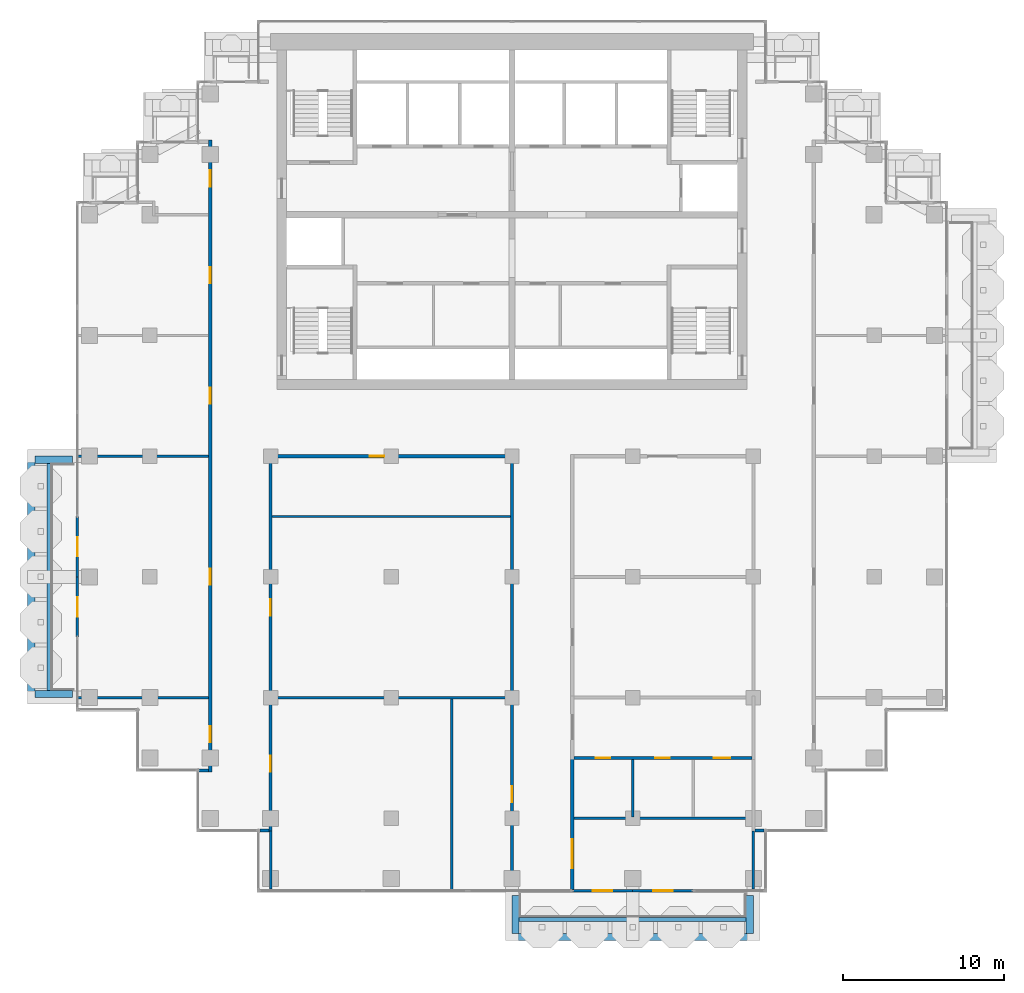
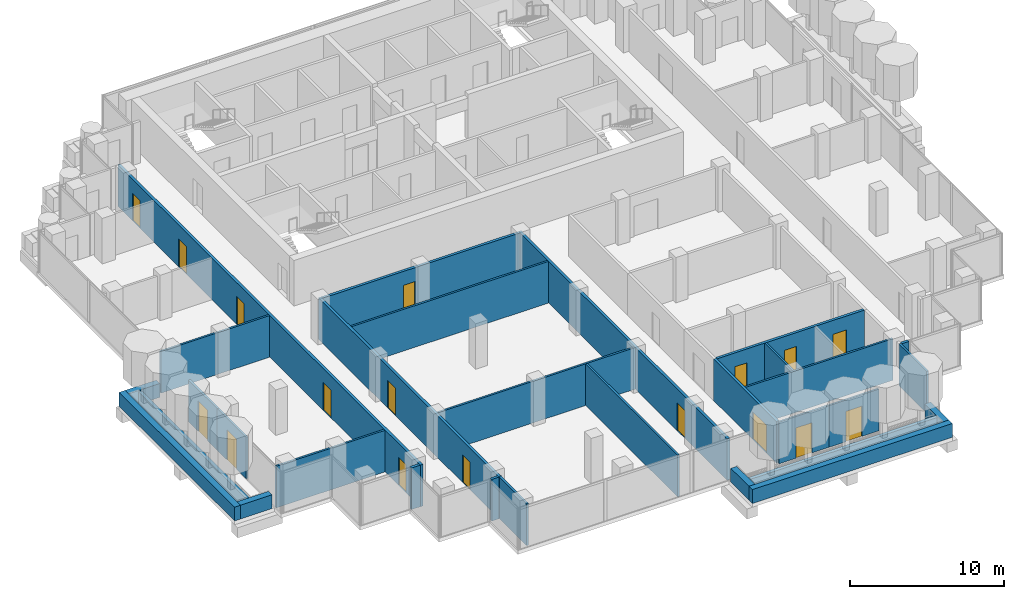
# One storey, part 11 of 18: 30 walls, 17 doors, 17 openings.
"""IFC4 building model written with IfcOpenShell, lengths in metres."""

from ifc_helpers import new_model, si_unit, direction, frame, frame_2d, origin, place, context, subcontext, project, spatial, rectangle, extrude, material, layer, layer_set, type_object, element, fill, save


model = new_model("IFC4")

# Units and contexts
model_context = context("Model", 3, precision=1e-05, world=origin(), true_north=direction((0.0, 1.0)))
body_context = subcontext(model_context, "Body", "Model", "MODEL_VIEW")
ifc_project = project(units=[si_unit("LENGTHUNIT", "METRE"), si_unit("AREAUNIT", "SQUARE_METRE"), si_unit("VOLUMEUNIT", "CUBIC_METRE"), si_unit("PLANEANGLEUNIT", "RADIAN"), si_unit("MASSUNIT", "GRAM", prefix="KILO")], contexts=[model_context])

# Site, building, storey
site_placement = place(None, origin())
site = spatial("IfcSite", under=ifc_project, at=site_placement, CompositionType="ELEMENT")
building_placement = place(site_placement, origin())
building = spatial("IfcBuilding", under=site, at=building_placement, Name="Pilkhan Gate Tower", CompositionType="ELEMENT")
storey_placement = place(building_placement, frame((0.0, 0.0, 195.89990234375)))
storey = spatial("IfcBuildingStorey", under=building, at=storey_placement, Name="L50", CompositionType="ELEMENT", Elevation=195.89990234375)

# Walls
ifc_material_1 = material(Name="Concrete C40/50", Category="concrete")
ifc_layer_1 = layer(ifc_material_1, 0.25)
ifc_layer_set_1 = layer_set([ifc_layer_1], Name="Balcony planter BP250")
wall_type_1 = type_object("IfcWallType", Name="Balcony planter BP250", PredefinedType="USERDEFINED", material=ifc_layer_set_1)
for number, where, z_axis, x_axis, name in (
    (1, (75.449951171875, 38.72509765625, 0.0), (0.0, 0.0, 1.0), (1.0, 0.0, 0.0), "Balcony planter L50 S"),
    (2, (46.22509765625, 52.949951171875, 0.0), (0.0, 0.0, 1.0), (0.0, 1.0, 0.0), "Balcony planter L50 W"),
):
    element("IfcWall", number, at=place(storey_placement, frame(where, z_axis=z_axis, x_axis=x_axis)), inside=storey, type_object=wall_type_1, Name=name, ObjectType="BALCONY PLANTER", PredefinedType="USERDEFINED", context=body_context, shape_type="SweptSolid", body=[
        extrude(rectangle(XDim=14.10009765625, YDim=0.25, at=frame_2d((7.050048828125, 0.0))), origin(), (0.0, 0.0, 1.0), 1.0),
    ])
ifc_material_2 = material(Name="Board-marked Concrete C40/50", Category="concrete")
ifc_layer_2 = layer(ifc_material_2, 0.449951171875)
ifc_layer_set_2 = layer_set([ifc_layer_2], Name="Balcony planter lip BL450")
wall_type_2 = type_object("IfcWallType", Name="Balcony planter lip BL450", PredefinedType="USERDEFINED", material=ifc_layer_set_2)
wall_1_placement = place(storey_placement, frame((75.0, 37.625, 0.0), z_axis=(0.0, 0.0, 1.0), x_axis=(1.0, 0.0, 0.0)))
element("IfcWall", 3, at=wall_1_placement, inside=storey, type_object=wall_type_2, Name="Balcony planter L50 S", ObjectType="BALCONY PLANTER", PredefinedType="USERDEFINED", context=body_context, shape_type="SweptSolid", body=[
    extrude(rectangle(XDim=15.0, YDim=0.449951171875, at=frame_2d((7.5, 0.0))), origin(), (0.0, 0.0, 1.0), 1.10009765625),
])
for number, where, z_axis, x_axis, name in (
    (4, (75.22509765625, 40.199951171875, 0.0), (0.0, 0.0, 1.0), (0.0, -1.0, 0.0), "Balcony planter L50 S"),
    (5, (89.77490234375, 40.199951171875, 0.0), (0.0, 0.0, 1.0), (0.0, -1.0, 0.0), "Balcony planter L50 S"),
):
    element("IfcWall", number, at=place(storey_placement, frame(where, z_axis=z_axis, x_axis=x_axis)), inside=storey, type_object=wall_type_2, Name=name, ObjectType="BALCONY PLANTER", PredefinedType="USERDEFINED", context=body_context, shape_type="SweptSolid", body=[
        extrude(rectangle(XDim=2.349853515625, YDim=0.449951171875, at=frame_2d((1.1748046875, 0.0))), origin(), (0.0, 0.0, 1.0), 1.10009765625),
    ])
wall_2_placement = place(storey_placement, frame((45.125, 52.5, 0.0), z_axis=(0.0, 0.0, 1.0), x_axis=(0.0, 1.0, 0.0)))
element("IfcWall", 6, at=wall_2_placement, inside=storey, type_object=wall_type_2, Name="Balcony planter L50 W", ObjectType="BALCONY PLANTER", PredefinedType="USERDEFINED", context=body_context, shape_type="SweptSolid", body=[
    extrude(rectangle(XDim=15.0, YDim=0.449951171875, at=frame_2d((7.5, 0.0))), origin(), (0.0, 0.0, 1.0), 1.10009765625),
])
for number, where, z_axis, x_axis, name in (
    (7, (47.699951171875, 52.72509765625, 0.0), (0.0, 0.0, 1.0), (-1.0, 0.0, 0.0), "Balcony planter L50 W"),
    (8, (47.699951171875, 67.27490234375, 0.0), (0.0, 0.0, 1.0), (-1.0, 0.0, 0.0), "Balcony planter L50 W"),
):
    element("IfcWall", number, at=place(storey_placement, frame(where, z_axis=z_axis, x_axis=x_axis)), inside=storey, type_object=wall_type_2, Name=name, ObjectType="BALCONY PLANTER", PredefinedType="USERDEFINED", context=body_context, shape_type="SweptSolid", body=[
        extrude(rectangle(XDim=2.349853515625, YDim=0.449951171875, at=frame_2d((1.1748046875, 0.0))), origin(), (0.0, 0.0, 1.0), 1.10009765625),
    ])
ifc_material_3 = material(Name="Dense blockwork", Category="masonry")
ifc_layer_3 = layer(ifc_material_3, 0.199951171875)
ifc_layer_set_3 = layer_set([ifc_layer_3], Name="Corridor wall FW200")
wall_type_3 = type_object("IfcWallType", Name="Corridor wall FW200", PredefinedType="PARTITIONING", material=ifc_layer_set_3)
for number, where, z_axis, x_axis, name in (
    (9, (59.35498046875, 44.235107421875, 0.0), (0.0, 0.0, 1.0), (1.0, 0.0, 0.0), "Partition L50"),
    (10, (90.10009765625, 44.235107421875, 0.0), (0.0, 0.0, 1.0), (1.0, 0.0, 0.0), "Partition L50"),
):
    element("IfcWall", number, at=place(storey_placement, frame(where, z_axis=z_axis, x_axis=x_axis)), inside=storey, type_object=wall_type_3, Name=name, PredefinedType="PARTITIONING", context=body_context, shape_type="SweptSolid", body=[
        extrude(rectangle(XDim=0.544921875, YDim=0.199951171875, at=frame_2d((0.2724609375, 0.0))), origin(), (0.0, 0.0, 1.0), 3.300048828125),
    ])
wall_3_placement = place(storey_placement, frame((55.485107421875, 47.969970703125, 0.0), z_axis=(0.0, 0.0, 1.0), x_axis=(1.0, 0.0, 0.0)))
element("IfcWall", 11, at=wall_3_placement, inside=storey, type_object=wall_type_3, Name="Partition L50", PredefinedType="PARTITIONING", context=body_context, shape_type="SweptSolid", body=[
    extrude(rectangle(XDim=0.664794921875, YDim=0.199951171875, at=frame_2d((0.33251953125, 0.0))), origin(), (0.0, 0.0, 1.0), 3.300048828125),
])

# Wall, opening, door
wall_4_placement = place(storey_placement, frame((60.10009765625, 67.5, 0.0), z_axis=(0.0, 0.0, 1.0), x_axis=(1.0, 0.0, 0.0)))
wall_4 = element("IfcWall", 12, at=wall_4_placement, inside=storey, type_object=wall_type_3, Name="Partition L50", PredefinedType="PARTITIONING", context=body_context, shape_type="SweptSolid", body=[
    extrude(rectangle(XDim=14.7998046875, YDim=0.199951171875, at=frame_2d((7.39990234375, 0.0))), origin(), (0.0, 0.0, 1.0), 3.300048828125),
])
opening_1_placement = place(wall_4_placement, frame((6.050048828125, 0.0, 0.0)))
opening_1 = element("IfcOpeningElement", 13, at=opening_1_placement, cuts=wall_4, Name="Opening L50-19", PredefinedType="OPENING", context=body_context, shape_type="SweptSolid", body=[
    extrude(rectangle(XDim=0.89990234375, YDim=2.199951171875, at=frame_2d((0.449951171875, 1.10009765625))), frame((0.0, 0.10986328125, 0.0), z_axis=(0.0, -1.0, 0.0), x_axis=(1.0, 0.0, 0.0)), (0.0, 0.0, 1.0), 0.219970703125),
])
ifc_material_4 = material(Name="Timber flush door, 60 minute fire resisting, self-closing", Category="wood")
door_type_1 = type_object("IfcDoorType", Name="Store door D05 900x2200", OperationType="SINGLE_SWING_LEFT", PredefinedType="DOOR", material=ifc_material_4)
door_1_placement = place(opening_1_placement, origin())
door_1 = element("IfcDoor", 14, at=door_1_placement, inside=storey, type_object=door_type_1, Name="Store door", OperationType="SINGLE_SWING_RIGHT", OverallHeight=2.199951171875, OverallWidth=0.89990234375, PredefinedType="DOOR", context=body_context, shape_type="SweptSolid", body=[
    extrude(rectangle(XDim=0.89990234375, YDim=2.199951171875, at=frame_2d((0.449951171875, 1.10009765625))), frame((0.0, 0.02490234375, 0.0), z_axis=(0.0, -1.0, 0.0), x_axis=(1.0, 0.0, 0.0)), (0.0, 0.0, 1.0), 0.050048828125),
])
fill(opening_1, door_1)

# Wall, openings, doors
wall_5_placement = place(storey_placement, frame((56.25, 47.8701171875, 0.0), z_axis=(0.0, 0.0, 1.0), x_axis=(0.0, 1.0, 0.0)))
wall_5 = element("IfcWall", 15, at=wall_5_placement, inside=storey, type_object=wall_type_3, Name="Partition L50", PredefinedType="PARTITIONING", context=body_context, shape_type="SweptSolid", body=[
    extrude(rectangle(XDim=39.259765625, YDim=0.199951171875, at=frame_2d((19.6298828125, 0.0))), origin(), (0.0, 0.0, 1.0), 3.300048828125),
])
opening_2_placement = place(wall_5_placement, frame((1.85009765625, 0.0, 0.0)))
opening_2 = element("IfcOpeningElement", 16, at=opening_2_placement, cuts=wall_5, Name="Opening L50-23", PredefinedType="OPENING", context=body_context, shape_type="SweptSolid", body=[
    extrude(rectangle(XDim=1.0, YDim=2.199951171875, at=frame_2d((0.5, 1.10009765625))), frame((0.0, 0.10986328125, 0.0), z_axis=(0.0, -1.0, 0.0), x_axis=(1.0, 0.0, 0.0)), (0.0, 0.0, 1.0), 0.219970703125),
])
opening_3_placement = place(wall_5_placement, frame((11.6298828125, 0.0, 0.0)))
opening_3 = element("IfcOpeningElement", 17, at=opening_3_placement, cuts=wall_5, Name="Opening L50-24", PredefinedType="OPENING", context=body_context, shape_type="SweptSolid", body=[
    extrude(rectangle(XDim=1.0, YDim=2.199951171875, at=frame_2d((0.5, 1.10009765625))), frame((0.0, 0.10986328125, 0.0), z_axis=(0.0, -1.0, 0.0), x_axis=(1.0, 0.0, 0.0)), (0.0, 0.0, 1.0), 0.219970703125),
])
opening_4_placement = place(wall_5_placement, frame((22.8798828125, 0.0, 0.0)))
opening_4 = element("IfcOpeningElement", 18, at=opening_4_placement, cuts=wall_5, Name="Opening L50-25", PredefinedType="OPENING", context=body_context, shape_type="SweptSolid", body=[
    extrude(rectangle(XDim=1.0, YDim=2.199951171875, at=frame_2d((0.5, 1.10009765625))), frame((0.0, 0.10986328125, 0.0), z_axis=(0.0, -1.0, 0.0), x_axis=(1.0, 0.0, 0.0)), (0.0, 0.0, 1.0), 0.219970703125),
])
opening_5_placement = place(wall_5_placement, frame((30.3798828125, 0.0, 0.0)))
opening_5 = element("IfcOpeningElement", 19, at=opening_5_placement, cuts=wall_5, Name="Opening L50-29", PredefinedType="OPENING", context=body_context, shape_type="SweptSolid", body=[
    extrude(rectangle(XDim=1.0, YDim=2.199951171875, at=frame_2d((0.5, 1.10009765625))), frame((0.0, 0.10986328125, 0.0), z_axis=(0.0, -1.0, 0.0), x_axis=(1.0, 0.0, 0.0)), (0.0, 0.0, 1.0), 0.219970703125),
])
opening_6_placement = place(wall_5_placement, frame((36.3798828125, 0.0, 0.0)))
opening_6 = element("IfcOpeningElement", 20, at=opening_6_placement, cuts=wall_5, Name="Opening L50-30", PredefinedType="OPENING", context=body_context, shape_type="SweptSolid", body=[
    extrude(rectangle(XDim=1.0, YDim=2.199951171875, at=frame_2d((0.5, 1.10009765625))), frame((0.0, 0.10986328125, 0.0), z_axis=(0.0, -1.0, 0.0), x_axis=(1.0, 0.0, 0.0)), (0.0, 0.0, 1.0), 0.219970703125),
])
ifc_material_5 = material(Name="Timber flush door, 30 minute fire resisting", Category="wood")
door_type_2 = type_object("IfcDoorType", Name="Room door D03 1000x2200", OperationType="SINGLE_SWING_LEFT", PredefinedType="DOOR", material=ifc_material_5)
door_2_placement = place(opening_2_placement, origin())
door_2 = element("IfcDoor", 21, at=door_2_placement, inside=storey, type_object=door_type_2, Name="Room door", OperationType="SINGLE_SWING_LEFT", OverallHeight=2.199951171875, OverallWidth=1.0, PredefinedType="DOOR", context=body_context, shape_type="SweptSolid", body=[
    extrude(rectangle(XDim=1.0, YDim=2.199951171875, at=frame_2d((0.5, 1.10009765625))), frame((0.0, 0.02490234375, 0.0), z_axis=(0.0, -1.0, 0.0), x_axis=(1.0, 0.0, 0.0)), (0.0, 0.0, 1.0), 0.050048828125),
])
fill(opening_2, door_2)
door_3_placement = place(opening_3_placement, origin())
door_3 = element("IfcDoor", 22, at=door_3_placement, inside=storey, type_object=door_type_2, Name="Room door", OperationType="SINGLE_SWING_RIGHT", OverallHeight=2.199951171875, OverallWidth=1.0, PredefinedType="DOOR", context=body_context, shape_type="SweptSolid", body=[
    extrude(rectangle(XDim=1.0, YDim=2.199951171875, at=frame_2d((0.5, 1.10009765625))), frame((0.0, 0.02490234375, 0.0), z_axis=(0.0, -1.0, 0.0), x_axis=(1.0, 0.0, 0.0)), (0.0, 0.0, 1.0), 0.050048828125),
])
fill(opening_3, door_3)
door_4_placement = place(opening_4_placement, origin())
door_4 = element("IfcDoor", 23, at=door_4_placement, inside=storey, type_object=door_type_2, Name="Room door", OperationType="SINGLE_SWING_LEFT", OverallHeight=2.199951171875, OverallWidth=1.0, PredefinedType="DOOR", context=body_context, shape_type="SweptSolid", body=[
    extrude(rectangle(XDim=1.0, YDim=2.199951171875, at=frame_2d((0.5, 1.10009765625))), frame((0.0, 0.02490234375, 0.0), z_axis=(0.0, -1.0, 0.0), x_axis=(1.0, 0.0, 0.0)), (0.0, 0.0, 1.0), 0.050048828125),
])
fill(opening_4, door_4)
door_5_placement = place(opening_5_placement, origin())
door_5 = element("IfcDoor", 24, at=door_5_placement, inside=storey, type_object=door_type_2, Name="Room door", OperationType="SINGLE_SWING_LEFT", OverallHeight=2.199951171875, OverallWidth=1.0, PredefinedType="DOOR", context=body_context, shape_type="SweptSolid", body=[
    extrude(rectangle(XDim=1.0, YDim=2.199951171875, at=frame_2d((0.5, 1.10009765625))), frame((0.0, 0.02490234375, 0.0), z_axis=(0.0, -1.0, 0.0), x_axis=(1.0, 0.0, 0.0)), (0.0, 0.0, 1.0), 0.050048828125),
])
fill(opening_5, door_5)
door_6_placement = place(opening_6_placement, origin())
door_6 = element("IfcDoor", 25, at=door_6_placement, inside=storey, type_object=door_type_2, Name="Room door", OperationType="SINGLE_SWING_RIGHT", OverallHeight=2.199951171875, OverallWidth=1.0, PredefinedType="DOOR", context=body_context, shape_type="SweptSolid", body=[
    extrude(rectangle(XDim=1.0, YDim=2.199951171875, at=frame_2d((0.5, 1.10009765625))), frame((0.0, 0.02490234375, 0.0), z_axis=(0.0, -1.0, 0.0), x_axis=(1.0, 0.0, 0.0)), (0.0, 0.0, 1.0), 0.050048828125),
])
fill(opening_6, door_6)

wall_6_placement = place(storey_placement, frame((60.0, 44.135009765625, 0.0), z_axis=(0.0, 0.0, 1.0), x_axis=(0.0, 1.0, 0.0)))
wall_6 = element("IfcWall", 26, at=wall_6_placement, inside=storey, type_object=wall_type_3, Name="Partition L50", PredefinedType="PARTITIONING", context=body_context, shape_type="SweptSolid", body=[
    extrude(rectangle(XDim=23.465087890625, YDim=0.199951171875, at=frame_2d((11.732421875, 0.0))), origin(), (0.0, 0.0, 1.0), 3.300048828125),
])
opening_7_placement = place(wall_6_placement, frame((3.75, 0.0, 0.0)))
opening_7 = element("IfcOpeningElement", 27, at=opening_7_placement, cuts=wall_6, Name="Opening L50-16", PredefinedType="OPENING", context=body_context, shape_type="SweptSolid", body=[
    extrude(rectangle(XDim=1.0, YDim=2.199951171875, at=frame_2d((0.5, 1.10009765625))), frame((0.0, 0.10986328125, 0.0), z_axis=(0.0, -1.0, 0.0), x_axis=(1.0, 0.0, 0.0)), (0.0, 0.0, 1.0), 0.219970703125),
])
opening_8_placement = place(wall_6_placement, frame((13.465087890625, 0.0, 0.0)))
opening_8 = element("IfcOpeningElement", 28, at=opening_8_placement, cuts=wall_6, Name="Opening L50-18", PredefinedType="OPENING", context=body_context, shape_type="SweptSolid", body=[
    extrude(rectangle(XDim=1.0, YDim=2.199951171875, at=frame_2d((0.5, 1.10009765625))), frame((0.0, 0.10986328125, 0.0), z_axis=(0.0, -1.0, 0.0), x_axis=(1.0, 0.0, 0.0)), (0.0, 0.0, 1.0), 0.219970703125),
])
door_7_placement = place(opening_7_placement, origin())
door_7 = element("IfcDoor", 29, at=door_7_placement, inside=storey, type_object=door_type_2, Name="Room door", OperationType="SINGLE_SWING_LEFT", OverallHeight=2.199951171875, OverallWidth=1.0, PredefinedType="DOOR", context=body_context, shape_type="SweptSolid", body=[
    extrude(rectangle(XDim=1.0, YDim=2.199951171875, at=frame_2d((0.5, 1.10009765625))), frame((0.0, 0.02490234375, 0.0), z_axis=(0.0, -1.0, 0.0), x_axis=(1.0, 0.0, 0.0)), (0.0, 0.0, 1.0), 0.050048828125),
])
fill(opening_7, door_7)
door_8_placement = place(opening_8_placement, origin())
door_8 = element("IfcDoor", 30, at=door_8_placement, inside=storey, type_object=door_type_2, Name="Room door", OperationType="SINGLE_SWING_LEFT", OverallHeight=2.199951171875, OverallWidth=1.0, PredefinedType="DOOR", context=body_context, shape_type="SweptSolid", body=[
    extrude(rectangle(XDim=1.0, YDim=2.199951171875, at=frame_2d((0.5, 1.10009765625))), frame((0.0, 0.02490234375, 0.0), z_axis=(0.0, -1.0, 0.0), x_axis=(1.0, 0.0, 0.0)), (0.0, 0.0, 1.0), 0.050048828125),
])
fill(opening_8, door_8)

# Wall, opening, door
wall_7_placement = place(storey_placement, frame((75.0, 40.485107421875, 0.0), z_axis=(0.0, 0.0, 1.0), x_axis=(0.0, 1.0, 0.0)))
wall_7 = element("IfcWall", 31, at=wall_7_placement, inside=storey, type_object=wall_type_3, Name="Partition L50", PredefinedType="PARTITIONING", context=body_context, shape_type="SweptSolid", body=[
    extrude(rectangle(XDim=27.114990234375, YDim=0.199951171875, at=frame_2d((13.5576171875, 0.0))), origin(), (0.0, 0.0, 1.0), 3.300048828125),
])
opening_9_placement = place(wall_7_placement, frame((5.5, 0.0, 0.0)))
opening_9 = element("IfcOpeningElement", 32, at=opening_9_placement, cuts=wall_7, Name="Opening L50-17", PredefinedType="OPENING", context=body_context, shape_type="SweptSolid", body=[
    extrude(rectangle(XDim=1.0, YDim=2.199951171875, at=frame_2d((0.5, 1.10009765625))), frame((0.0, 0.10986328125, 0.0), z_axis=(0.0, -1.0, 0.0), x_axis=(1.0, 0.0, 0.0)), (0.0, 0.0, 1.0), 0.219970703125),
])
door_9_placement = place(opening_9_placement, origin())
door_9 = element("IfcDoor", 33, at=door_9_placement, inside=storey, type_object=door_type_2, Name="Room door", OperationType="SINGLE_SWING_LEFT", OverallHeight=2.199951171875, OverallWidth=1.0, PredefinedType="DOOR", context=body_context, shape_type="SweptSolid", body=[
    extrude(rectangle(XDim=1.0, YDim=2.199951171875, at=frame_2d((0.5, 1.10009765625))), frame((0.0, 0.02490234375, 0.0), z_axis=(0.0, -1.0, 0.0), x_axis=(1.0, 0.0, 0.0)), (0.0, 0.0, 1.0), 0.050048828125),
])
fill(opening_9, door_9)

wall_8_placement = place(storey_placement, frame((78.75, 40.5849609375, 0.0), z_axis=(0.0, 0.0, 1.0), x_axis=(0.0, 1.0, 0.0)))
wall_8 = element("IfcWall", 34, at=wall_8_placement, inside=storey, type_object=wall_type_3, Name="Partition L50", PredefinedType="PARTITIONING", context=body_context, shape_type="SweptSolid", body=[
    extrude(rectangle(XDim=8.1650390625, YDim=0.199951171875, at=frame_2d((4.08251953125, 0.0))), origin(), (0.0, 0.0, 1.0), 3.300048828125),
])
opening_10_placement = place(wall_8_placement, frame((1.300048828125, 0.0, 0.0)))
opening_10 = element("IfcOpeningElement", 35, at=opening_10_placement, cuts=wall_8, Name="Opening L50-20", PredefinedType="OPENING", context=body_context, shape_type="SweptSolid", body=[
    extrude(rectangle(XDim=1.800048828125, YDim=2.199951171875, at=frame_2d((0.89990234375, 1.10009765625))), frame((0.0, 0.10986328125, 0.0), z_axis=(0.0, -1.0, 0.0), x_axis=(1.0, 0.0, 0.0)), (0.0, 0.0, 1.0), 0.219970703125),
])
ifc_material_6 = material(Name="Timber glazed double door, 30 minute fire resisting", Category="wood")
door_type_3 = type_object("IfcDoorType", Name="Double door D04 1800x2200", OperationType="DOUBLE_DOOR_SINGLE_SWING", PredefinedType="DOOR", material=ifc_material_6)
door_10_placement = place(opening_10_placement, origin())
door_10 = element("IfcDoor", 36, at=door_10_placement, inside=storey, type_object=door_type_3, Name="Double door", OperationType="DOUBLE_DOOR_SINGLE_SWING", OverallHeight=2.199951171875, OverallWidth=1.800048828125, PredefinedType="DOOR", context=body_context, shape_type="SweptSolid", body=[
    extrude(rectangle(XDim=1.800048828125, YDim=2.199951171875, at=frame_2d((0.89990234375, 1.10009765625))), frame((0.0, 0.02490234375, 0.0), z_axis=(0.0, -1.0, 0.0), x_axis=(1.0, 0.0, 0.0)), (0.0, 0.0, 1.0), 0.050048828125),
])
fill(opening_10, door_10)

ifc_material_7 = material(Name="Pale anodised aluminium, clear laminated glazing", Category="aluminium")
ifc_layer_4 = layer(ifc_material_7, 0.14990234375)
ifc_layer_set_4 = layer_set([ifc_layer_4], Name="Facade infill wall IW150")
wall_type_4 = type_object("IfcWallType", Name="Facade infill wall IW150", PredefinedType="SOLIDWALL", material=ifc_layer_set_4)
wall_9_placement = place(storey_placement, frame((48.0, 56.25, 0.0), z_axis=(0.0, 0.0, 1.0), x_axis=(0.0, 1.0, 0.0)))
wall_9 = element("IfcWall", 37, at=wall_9_placement, inside=storey, type_object=wall_type_4, Name="Infill wall L50 W", PredefinedType="SOLIDWALL", context=body_context, shape_type="SweptSolid", body=[
    extrude(rectangle(XDim=3.75, YDim=0.14990234375, at=frame_2d((1.875, 0.0))), origin(), (0.0, 0.0, 1.0), 3.300048828125),
])
opening_11_placement = place(wall_9_placement, frame((1.27490234375, 0.0, 0.0)))
opening_11 = element("IfcOpeningElement", 38, at=opening_11_placement, cuts=wall_9, Name="Opening D1", PredefinedType="OPENING", context=body_context, shape_type="SweptSolid", body=[
    extrude(rectangle(XDim=1.199951171875, YDim=2.39990234375, at=frame_2d((0.60009765625, 1.199951171875))), frame((0.0, 0.0849609375, 0.0), z_axis=(0.0, -1.0, 0.0), x_axis=(1.0, 0.0, 0.0)), (0.0, 0.0, 1.0), 0.169921875),
])
ifc_material_8 = material(Name="Pale anodised aluminium, clear glazing", Category="aluminium")
door_type_4 = type_object("IfcDoorType", Name="Balcony door D1 1200x2400", OperationType="SINGLE_SWING_LEFT", PredefinedType="DOOR", material=ifc_material_8)
door_11_placement = place(opening_11_placement, origin())
door_11 = element("IfcDoor", 39, at=door_11_placement, inside=storey, type_object=door_type_4, Name="Balcony door L50", OperationType="SINGLE_SWING_LEFT", OverallHeight=2.39990234375, OverallWidth=1.199951171875, PredefinedType="DOOR", context=body_context, shape_type="SweptSolid", body=[
    extrude(rectangle(XDim=1.199951171875, YDim=2.39990234375, at=frame_2d((0.60009765625, 1.199951171875))), frame((0.0, 0.02490234375, 0.0), z_axis=(0.0, -1.0, 0.0), x_axis=(1.0, 0.0, 0.0)), (0.0, 0.0, 1.0), 0.050048828125),
])
fill(opening_11, door_11)

wall_10_placement = place(storey_placement, frame((48.0, 60.0, 0.0), z_axis=(0.0, 0.0, 1.0), x_axis=(0.0, 1.0, 0.0)))
wall_10 = element("IfcWall", 40, at=wall_10_placement, inside=storey, type_object=wall_type_4, Name="Infill wall L50 W", PredefinedType="SOLIDWALL", context=body_context, shape_type="SweptSolid", body=[
    extrude(rectangle(XDim=3.75, YDim=0.14990234375, at=frame_2d((1.875, 0.0))), origin(), (0.0, 0.0, 1.0), 3.300048828125),
])
opening_12_placement = place(wall_10_placement, frame((1.27490234375, 0.0, 0.0)))
opening_12 = element("IfcOpeningElement", 41, at=opening_12_placement, cuts=wall_10, Name="Opening D1", PredefinedType="OPENING", context=body_context, shape_type="SweptSolid", body=[
    extrude(rectangle(XDim=1.199951171875, YDim=2.39990234375, at=frame_2d((0.60009765625, 1.199951171875))), frame((0.0, 0.0849609375, 0.0), z_axis=(0.0, -1.0, 0.0), x_axis=(1.0, 0.0, 0.0)), (0.0, 0.0, 1.0), 0.169921875),
])
door_12_placement = place(opening_12_placement, origin())
door_12 = element("IfcDoor", 42, at=door_12_placement, inside=storey, type_object=door_type_4, Name="Balcony door L50", OperationType="SINGLE_SWING_LEFT", OverallHeight=2.39990234375, OverallWidth=1.199951171875, PredefinedType="DOOR", context=body_context, shape_type="SweptSolid", body=[
    extrude(rectangle(XDim=1.199951171875, YDim=2.39990234375, at=frame_2d((0.60009765625, 1.199951171875))), frame((0.0, 0.02490234375, 0.0), z_axis=(0.0, -1.0, 0.0), x_axis=(1.0, 0.0, 0.0)), (0.0, 0.0, 1.0), 0.050048828125),
])
fill(opening_12, door_12)

wall_11_placement = place(storey_placement, frame((78.75, 40.5, 0.0), z_axis=(0.0, 0.0, 1.0), x_axis=(1.0, 0.0, 0.0)))
wall_11 = element("IfcWall", 43, at=wall_11_placement, inside=storey, type_object=wall_type_4, Name="Infill wall L50 S", PredefinedType="SOLIDWALL", context=body_context, shape_type="SweptSolid", body=[
    extrude(rectangle(XDim=3.75, YDim=0.14990234375, at=frame_2d((1.875, 0.0))), origin(), (0.0, 0.0, 1.0), 3.300048828125),
])
opening_13_placement = place(wall_11_placement, frame((1.27490234375, 0.0, 0.0)))
opening_13 = element("IfcOpeningElement", 44, at=opening_13_placement, cuts=wall_11, Name="Opening D1", PredefinedType="OPENING", context=body_context, shape_type="SweptSolid", body=[
    extrude(rectangle(XDim=1.199951171875, YDim=2.39990234375, at=frame_2d((0.60009765625, 1.199951171875))), frame((0.0, 0.0849609375, 0.0), z_axis=(0.0, -1.0, 0.0), x_axis=(1.0, 0.0, 0.0)), (0.0, 0.0, 1.0), 0.169921875),
])
door_13_placement = place(opening_13_placement, origin())
door_13 = element("IfcDoor", 45, at=door_13_placement, inside=storey, type_object=door_type_4, Name="Balcony door L50", OperationType="SINGLE_SWING_LEFT", OverallHeight=2.39990234375, OverallWidth=1.199951171875, PredefinedType="DOOR", context=body_context, shape_type="SweptSolid", body=[
    extrude(rectangle(XDim=1.199951171875, YDim=2.39990234375, at=frame_2d((0.60009765625, 1.199951171875))), frame((0.0, 0.02490234375, 0.0), z_axis=(0.0, -1.0, 0.0), x_axis=(1.0, 0.0, 0.0)), (0.0, 0.0, 1.0), 0.050048828125),
])
fill(opening_13, door_13)

wall_12_placement = place(storey_placement, frame((82.5, 40.5, 0.0), z_axis=(0.0, 0.0, 1.0), x_axis=(1.0, 0.0, 0.0)))
wall_12 = element("IfcWall", 46, at=wall_12_placement, inside=storey, type_object=wall_type_4, Name="Infill wall L50 S", PredefinedType="SOLIDWALL", context=body_context, shape_type="SweptSolid", body=[
    extrude(rectangle(XDim=3.75, YDim=0.14990234375, at=frame_2d((1.875, 0.0))), origin(), (0.0, 0.0, 1.0), 3.300048828125),
])
opening_14_placement = place(wall_12_placement, frame((1.27490234375, 0.0, 0.0)))
opening_14 = element("IfcOpeningElement", 47, at=opening_14_placement, cuts=wall_12, Name="Opening D1", PredefinedType="OPENING", context=body_context, shape_type="SweptSolid", body=[
    extrude(rectangle(XDim=1.199951171875, YDim=2.39990234375, at=frame_2d((0.60009765625, 1.199951171875))), frame((0.0, 0.0849609375, 0.0), z_axis=(0.0, -1.0, 0.0), x_axis=(1.0, 0.0, 0.0)), (0.0, 0.0, 1.0), 0.169921875),
])
door_14_placement = place(opening_14_placement, origin())
door_14 = element("IfcDoor", 48, at=door_14_placement, inside=storey, type_object=door_type_4, Name="Balcony door L50", OperationType="SINGLE_SWING_LEFT", OverallHeight=2.39990234375, OverallWidth=1.199951171875, PredefinedType="DOOR", context=body_context, shape_type="SweptSolid", body=[
    extrude(rectangle(XDim=1.199951171875, YDim=2.39990234375, at=frame_2d((0.60009765625, 1.199951171875))), frame((0.0, 0.02490234375, 0.0), z_axis=(0.0, -1.0, 0.0), x_axis=(1.0, 0.0, 0.0)), (0.0, 0.0, 1.0), 0.050048828125),
])
fill(opening_14, door_14)

# Wall, openings, doors
ifc_layer_5 = layer(ifc_material_3, 0.199951171875)
ifc_layer_set_5 = layer_set([ifc_layer_5], Name="Lobby wall LW200")
wall_type_5 = type_object("IfcWallType", Name="Lobby wall LW200", PredefinedType="PARTITIONING", material=ifc_layer_set_5)
wall_13_placement = place(storey_placement, frame((78.85009765625, 48.75, 0.0), z_axis=(0.0, 0.0, 1.0), x_axis=(1.0, 0.0, 0.0)))
wall_13 = element("IfcWall", 49, at=wall_13_placement, inside=storey, type_object=wall_type_5, Name="Partition L50", PredefinedType="PARTITIONING", context=body_context, shape_type="SweptSolid", body=[
    extrude(rectangle(XDim=11.0498046875, YDim=0.199951171875, at=frame_2d((5.52490234375, 0.0))), origin(), (0.0, 0.0, 1.0), 3.300048828125),
])
opening_15_placement = place(wall_13_placement, frame((1.35009765625, 0.0, 0.0)))
opening_15 = element("IfcOpeningElement", 50, at=opening_15_placement, cuts=wall_13, Name="Opening L50-13", PredefinedType="OPENING", context=body_context, shape_type="SweptSolid", body=[
    extrude(rectangle(XDim=0.89990234375, YDim=2.199951171875, at=frame_2d((0.449951171875, 1.10009765625))), frame((0.0, 0.10986328125, 0.0), z_axis=(0.0, -1.0, 0.0), x_axis=(1.0, 0.0, 0.0)), (0.0, 0.0, 1.0), 0.219970703125),
])
opening_16_placement = place(wall_13_placement, frame((5.050048828125, 0.0, 0.0)))
opening_16 = element("IfcOpeningElement", 51, at=opening_16_placement, cuts=wall_13, Name="Opening L50-14", PredefinedType="OPENING", context=body_context, shape_type="SweptSolid", body=[
    extrude(rectangle(XDim=0.89990234375, YDim=2.199951171875, at=frame_2d((0.449951171875, 1.10009765625))), frame((0.0, 0.10986328125, 0.0), z_axis=(0.0, -1.0, 0.0), x_axis=(1.0, 0.0, 0.0)), (0.0, 0.0, 1.0), 0.219970703125),
])
opening_17_placement = place(wall_13_placement, frame((8.699951171875, 0.0, 0.0)))
opening_17 = element("IfcOpeningElement", 52, at=opening_17_placement, cuts=wall_13, Name="Opening L50-15", PredefinedType="OPENING", context=body_context, shape_type="SweptSolid", body=[
    extrude(rectangle(XDim=1.0, YDim=2.199951171875, at=frame_2d((0.5, 1.10009765625))), frame((0.0, 0.10986328125, 0.0), z_axis=(0.0, -1.0, 0.0), x_axis=(1.0, 0.0, 0.0)), (0.0, 0.0, 1.0), 0.219970703125),
])
ifc_material_9 = material(Name="Timber flush door, outward opening, 30 minute fire resisting", Category="wood")
door_type_5 = type_object("IfcDoorType", Name="Accessible toilet door D07 1000x2200", OperationType="SINGLE_SWING_LEFT", PredefinedType="DOOR", material=ifc_material_9)
door_15_placement = place(opening_17_placement, origin())
door_15 = element("IfcDoor", 53, at=door_15_placement, inside=storey, type_object=door_type_5, Name="Accessible toilet door", OperationType="SINGLE_SWING_LEFT", OverallHeight=2.199951171875, OverallWidth=1.0, PredefinedType="DOOR", context=body_context, shape_type="SweptSolid", body=[
    extrude(rectangle(XDim=1.0, YDim=2.199951171875, at=frame_2d((0.5, 1.10009765625))), frame((0.0, 0.02490234375, 0.0), z_axis=(0.0, -1.0, 0.0), x_axis=(1.0, 0.0, 0.0)), (0.0, 0.0, 1.0), 0.050048828125),
])
fill(opening_17, door_15)
door_type_6 = type_object("IfcDoorType", Name="Toilet door D06 900x2200", OperationType="SINGLE_SWING_LEFT", PredefinedType="DOOR", material=ifc_material_5)
door_16_placement = place(opening_15_placement, origin())
door_16 = element("IfcDoor", 54, at=door_16_placement, inside=storey, type_object=door_type_6, Name="Toilet door", OperationType="SINGLE_SWING_LEFT", OverallHeight=2.199951171875, OverallWidth=0.89990234375, PredefinedType="DOOR", context=body_context, shape_type="SweptSolid", body=[
    extrude(rectangle(XDim=0.89990234375, YDim=2.199951171875, at=frame_2d((0.449951171875, 1.10009765625))), frame((0.0, 0.02490234375, 0.0), z_axis=(0.0, -1.0, 0.0), x_axis=(1.0, 0.0, 0.0)), (0.0, 0.0, 1.0), 0.050048828125),
])
fill(opening_15, door_16)
door_17_placement = place(opening_16_placement, origin())
door_17 = element("IfcDoor", 55, at=door_17_placement, inside=storey, type_object=door_type_6, Name="Toilet door", OperationType="SINGLE_SWING_LEFT", OverallHeight=2.199951171875, OverallWidth=0.89990234375, PredefinedType="DOOR", context=body_context, shape_type="SweptSolid", body=[
    extrude(rectangle(XDim=0.89990234375, YDim=2.199951171875, at=frame_2d((0.449951171875, 1.10009765625))), frame((0.0, 0.02490234375, 0.0), z_axis=(0.0, -1.0, 0.0), x_axis=(1.0, 0.0, 0.0)), (0.0, 0.0, 1.0), 0.050048828125),
])
fill(opening_16, door_17)

# Walls
ifc_material_10 = material(Name="Blockwork partition, plastered both sides", Category="masonry")
ifc_layer_6 = layer(ifc_material_10, 0.14990234375)
ifc_layer_set_6 = layer_set([ifc_layer_6], Name="Partition PW150")
wall_type_6 = type_object("IfcWallType", Name="Partition PW150", PredefinedType="PARTITIONING", material=ifc_layer_set_6)
wall_14_placement = place(storey_placement, frame((78.85009765625, 45.0, 0.0), z_axis=(0.0, 0.0, 1.0), x_axis=(1.0, 0.0, 0.0)))
element("IfcWall", 56, at=wall_14_placement, inside=storey, type_object=wall_type_6, Name="Partition L50", PredefinedType="PARTITIONING", context=body_context, shape_type="SweptSolid", body=[
    extrude(rectangle(XDim=11.0498046875, YDim=0.14990234375, at=frame_2d((5.52490234375, 0.0))), origin(), (0.0, 0.0, 1.0), 3.300048828125),
])
wall_15_placement = place(storey_placement, frame((47.985107421875, 52.5, 0.0), z_axis=(0.0, 0.0, 1.0), x_axis=(1.0, 0.0, 0.0)))
element("IfcWall", 57, at=wall_15_placement, inside=storey, type_object=wall_type_6, Name="Partition L50", PredefinedType="PARTITIONING", context=body_context, shape_type="SweptSolid", body=[
    extrude(rectangle(XDim=8.164794921875, YDim=0.14990234375, at=frame_2d((4.08251953125, 0.0))), origin(), (0.0, 0.0, 1.0), 3.300048828125),
])
for number, where, z_axis, x_axis, name in (
    (58, (60.10009765625, 52.5, 0.0), (0.0, 0.0, 1.0), (1.0, 0.0, 0.0), "Partition L50"),
    (59, (60.10009765625, 63.75, 0.0), (0.0, 0.0, 1.0), (1.0, 0.0, 0.0), "Partition L50"),
):
    element("IfcWall", number, at=place(storey_placement, frame(where, z_axis=z_axis, x_axis=x_axis)), inside=storey, type_object=wall_type_6, Name=name, PredefinedType="PARTITIONING", context=body_context, shape_type="SweptSolid", body=[
        extrude(rectangle(XDim=14.7998046875, YDim=0.14990234375, at=frame_2d((7.39990234375, 0.0))), origin(), (0.0, 0.0, 1.0), 3.300048828125),
    ])
wall_16_placement = place(storey_placement, frame((47.985107421875, 67.5, 0.0), z_axis=(0.0, 0.0, 1.0), x_axis=(1.0, 0.0, 0.0)))
element("IfcWall", 60, at=wall_16_placement, inside=storey, type_object=wall_type_6, Name="Partition L50", PredefinedType="PARTITIONING", context=body_context, shape_type="SweptSolid", body=[
    extrude(rectangle(XDim=8.164794921875, YDim=0.14990234375, at=frame_2d((4.08251953125, 0.0))), origin(), (0.0, 0.0, 1.0), 3.300048828125),
])
wall_17_placement = place(storey_placement, frame((60.0, 40.60498046875, 0.0), z_axis=(0.0, 0.0, 1.0), x_axis=(0.0, 1.0, 0.0)))
element("IfcWall", 61, at=wall_17_placement, inside=storey, type_object=wall_type_6, Name="Partition L50", PredefinedType="PARTITIONING", context=body_context, shape_type="SweptSolid", body=[
    extrude(rectangle(XDim=3.60009765625, YDim=0.14990234375, at=frame_2d((1.800048828125, 0.0))), origin(), (0.0, 0.0, 1.0), 3.300048828125),
])
wall_18_placement = place(storey_placement, frame((71.25, 40.485107421875, 0.0), z_axis=(0.0, 0.0, 1.0), x_axis=(0.0, 1.0, 0.0)))
element("IfcWall", 62, at=wall_18_placement, inside=storey, type_object=wall_type_6, Name="Partition L50", PredefinedType="PARTITIONING", context=body_context, shape_type="SweptSolid", body=[
    extrude(rectangle(XDim=11.93994140625, YDim=0.14990234375, at=frame_2d((5.969970703125, 0.0))), origin(), (0.0, 0.0, 1.0), 3.300048828125),
])
wall_19_placement = place(storey_placement, frame((82.5, 45.074951171875, 0.0), z_axis=(0.0, 0.0, 1.0), x_axis=(0.0, 1.0, 0.0)))
element("IfcWall", 63, at=wall_19_placement, inside=storey, type_object=wall_type_6, Name="Partition L50", PredefinedType="PARTITIONING", context=body_context, shape_type="SweptSolid", body=[
    extrude(rectangle(XDim=3.574951171875, YDim=0.14990234375, at=frame_2d((1.78759765625, 0.0))), origin(), (0.0, 0.0, 1.0), 3.300048828125),
])
wall_20_placement = place(storey_placement, frame((90.0, 40.60498046875, 0.0), z_axis=(0.0, 0.0, 1.0), x_axis=(0.0, 1.0, 0.0)))
element("IfcWall", 64, at=wall_20_placement, inside=storey, type_object=wall_type_6, Name="Partition L50", PredefinedType="PARTITIONING", context=body_context, shape_type="SweptSolid", body=[
    extrude(rectangle(XDim=3.60009765625, YDim=0.14990234375, at=frame_2d((1.800048828125, 0.0))), origin(), (0.0, 0.0, 1.0), 3.300048828125),
])

save(model, "model.ifc")
